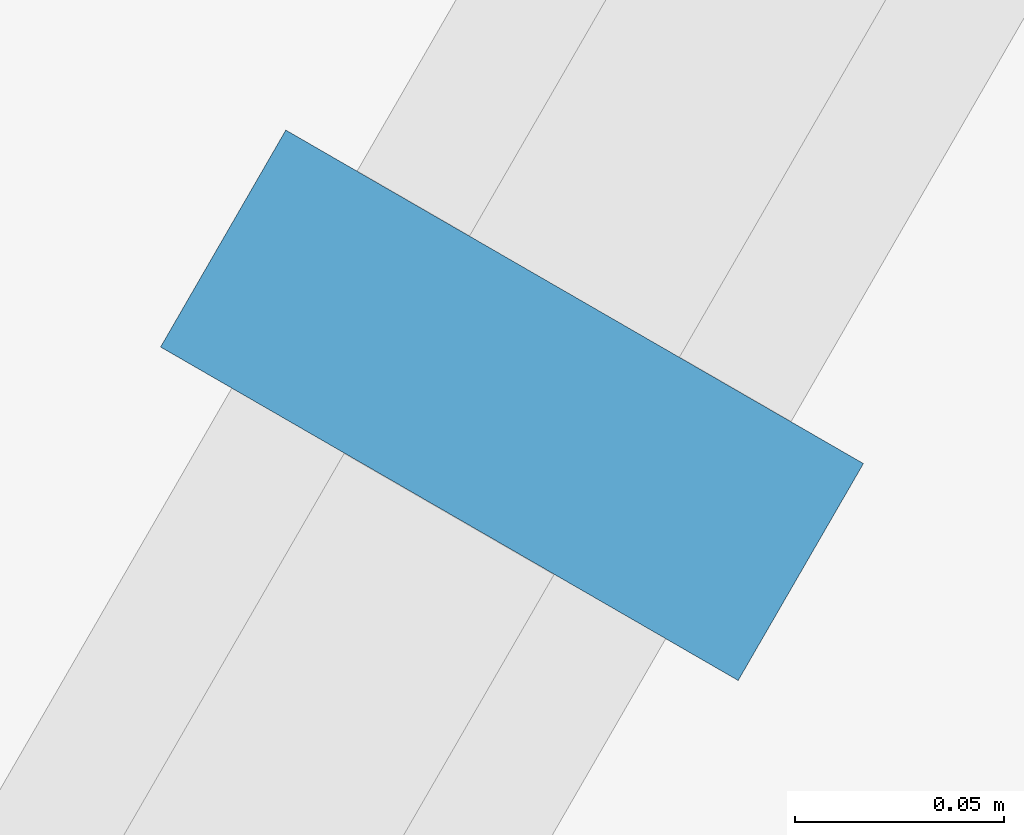
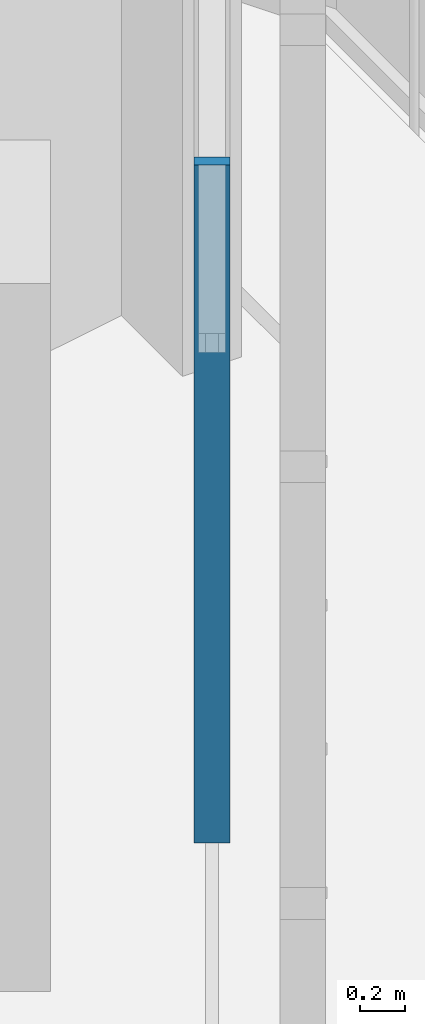
# One storey, part 52 of 127: 1 member, 1 element without a shape of its own.
"""IFC4 building model written with IfcOpenShell, lengths in metres."""

from ifc_helpers import new_model, si_unit, direction, frame, origin, origin_2d, place, context, subcontext, project, spatial, rectangle, extrude, material, material_profile, profile_set, type_object, element, aggregate, save


model = new_model("IFC4")

# Units and contexts
model_context = context("Model", 3, precision=1e-05, world=origin(), true_north=direction((0.0, 1.0)))
body_context = subcontext(model_context, "Body", "Model", "MODEL_VIEW")
ifc_project = project(units=[si_unit("LENGTHUNIT", "METRE"), si_unit("AREAUNIT", "SQUARE_METRE"), si_unit("VOLUMEUNIT", "CUBIC_METRE"), si_unit("PLANEANGLEUNIT", "RADIAN"), si_unit("MASSUNIT", "GRAM", prefix="KILO")], contexts=[model_context])

# Site, building, storey
site_placement = place(None, origin())
site = spatial("IfcSite", under=ifc_project, at=site_placement, CompositionType="ELEMENT")
building_placement = place(site_placement, origin())
building = spatial("IfcBuilding", under=site, at=building_placement, Name="Sandreach Pilgrim Tower", CompositionType="ELEMENT")
storey_placement = place(building_placement, frame((0.0, 0.0, 257.0)))
storey = spatial("IfcBuildingStorey", under=building, at=storey_placement, Name="L64", CompositionType="ELEMENT", Elevation=257.0)

# Curtain wall, member
ifc_material_1 = material(Name="Aluminium framed curtain wall", Category="aluminium")
curtain_wall_type = type_object("IfcCurtainWallType", Name="Suite tower curtain wall", PredefinedType="NOTDEFINED", material=ifc_material_1)
curtain_wall_placement = place(storey_placement, origin())
curtain_wall = element("IfcCurtainWall", 1, at=curtain_wall_placement, inside=storey, type_object=curtain_wall_type, Name="CW-4 L64 SE", PredefinedType="NOTDEFINED")
ifc_material_2 = material(Name="Aluminium extrusion", Category="aluminium")
ifc_material_profile = material_profile(ifc_material_2, rectangle(XDim=0.06005859375, YDim=0.159912109375, at=origin_2d()), Name="CW-4M 60X160")
ifc_profile_set = profile_set([ifc_material_profile], Name="Aluminium extrusion")
member_type = type_object("IfcMemberType", Name="CW-4 mullion", PredefinedType="MULLION", material=ifc_profile_set)
member_placement = place(storey_placement, frame((23.508544921875, 1.06494140625, 0.0), z_axis=(0.0, 0.0, 1.0), x_axis=(-0.5, -0.866025403784, 0.0)))
member = element("IfcMember", 2, at=member_placement, type_object=member_type, Name="CW-4 mullion 2", PredefinedType="MULLION", context=body_context, shape_type="SweptSolid", body=[
    extrude(rectangle(XDim=0.06005859375, YDim=0.159912109375, at=origin_2d()), origin(), (0.0, 0.0, 1.0), 3.639892578125),
])
aggregate(curtain_wall, [member])

save(model, "model.ifc")
